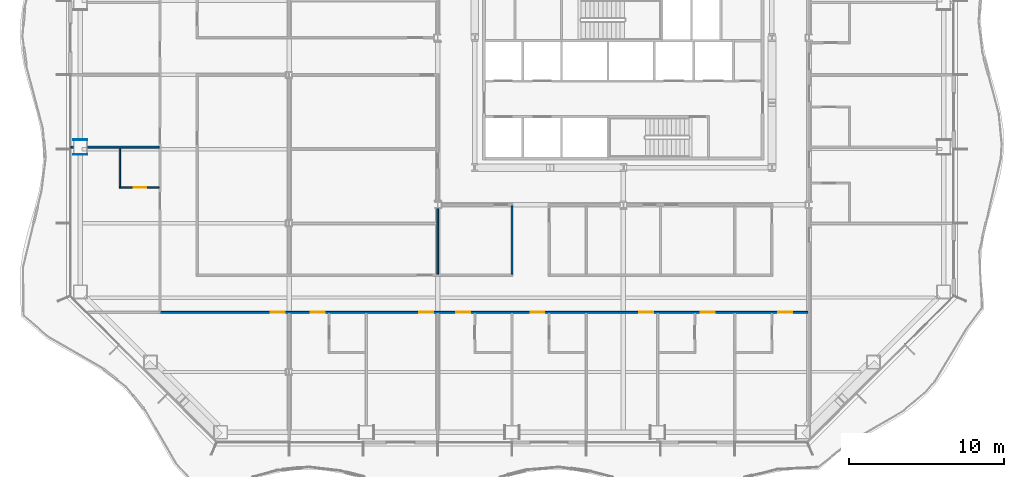
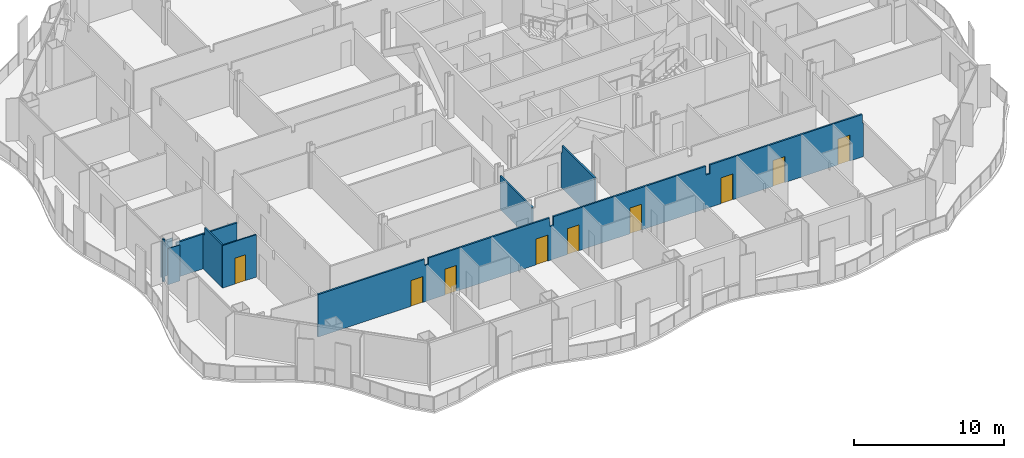
# One storey, part 7 of 20: 9 doors, 9 walls, 9 openings.
"""IFC4 building model written with IfcOpenShell, lengths in metres."""

from ifc_helpers import new_model, si_unit, direction, frame, frame_2d, origin, place, context, subcontext, project, spatial, polyline, rectangle, outline, extrude, material, layer, layer_set, type_object, element, fill, save


model = new_model("IFC4")

# Units and contexts
model_context = context("Model", 3, precision=1e-05, world=origin(), true_north=direction((0.0, 1.0)))
body_context = subcontext(model_context, "Body", "Model", "MODEL_VIEW")
ifc_project = project(units=[si_unit("LENGTHUNIT", "METRE"), si_unit("AREAUNIT", "SQUARE_METRE"), si_unit("VOLUMEUNIT", "CUBIC_METRE"), si_unit("PLANEANGLEUNIT", "RADIAN"), si_unit("MASSUNIT", "GRAM", prefix="KILO")], contexts=[model_context])

# Site, building, storey
site_placement = place(None, origin())
site = spatial("IfcSite", under=ifc_project, at=site_placement, CompositionType="ELEMENT")
building_placement = place(site_placement, origin())
building = spatial("IfcBuilding", under=site, at=building_placement, Name="Cairn Pilgrim Tower", CompositionType="ELEMENT")
storey_placement = place(building_placement, frame((0.0, 0.0, 83.39990234375)))
storey = spatial("IfcBuildingStorey", under=building, at=storey_placement, Name="L19", CompositionType="ELEMENT", Elevation=83.39990234375)

# Wall, opening, door
ifc_material_1 = material(Name="Gypsum partition")
ifc_layer_1 = layer(ifc_material_1, 0.10009765625)
ifc_layer_set_1 = layer_set([ifc_layer_1], Name="PARTITION 100 DRYWALL")
wall_type_1 = type_object("IfcWallType", Name="PARTITION 100 DRYWALL", PredefinedType="PARTITIONING", material=ifc_layer_set_1)
wall_1_placement = place(storey_placement, frame((-25.39990234375, -7.27587890625, 0.0), z_axis=(0.0, 0.0, 1.0), x_axis=(1.0, 0.0, 0.0)))
wall_1 = element("IfcWall", 1, at=wall_1_placement, inside=storey, type_object=wall_type_1, Name="PARTITION W046", PredefinedType="PARTITIONING", context=body_context, shape_type="SweptSolid", body=[
    extrude(rectangle(XDim=2.58740234375, YDim=0.10009765625, at=frame_2d((1.293701171875, 0.0))), origin(), (0.0, 0.0, 1.0), 3.4501953125),
])
opening_1_placement = place(wall_1_placement, frame((0.949951171875, 0.0, 0.0)))
opening_1 = element("IfcOpeningElement", 2, at=opening_1_placement, cuts=wall_1, Name="Opening 1909E", PredefinedType="OPENING", context=body_context, shape_type="SweptSolid", body=[
    extrude(rectangle(XDim=0.800048828125, YDim=2.10009765625, at=frame_2d((0.39990234375, 1.050048828125))), frame((0.0, 0.06005859375, 0.0), z_axis=(0.0, -1.0, 0.0), x_axis=(1.0, 0.0, 0.0)), (0.0, 0.0, 1.0), 0.1201171875),
])
ifc_material_2 = material(Name="Timber door leaf", Category="wood")
door_type_1 = type_object("IfcDoorType", Name="DOOR 800x2100", OperationType="NOTDEFINED", PredefinedType="DOOR", material=ifc_material_2)
door_1_placement = place(opening_1_placement, origin())
door_1 = element("IfcDoor", 3, at=door_1_placement, inside=storey, type_object=door_type_1, Name="DOOR 1909E", OperationType="SINGLE_SWING_RIGHT", OverallHeight=2.10009765625, OverallWidth=0.800048828125, PredefinedType="DOOR", context=body_context, shape_type="SweptSolid", body=[
    extrude(rectangle(XDim=0.800048828125, YDim=2.10009765625, at=frame_2d((0.39990234375, 1.050048828125))), frame((0.0, 0.02490234375, 0.0), z_axis=(0.0, -1.0, 0.0), x_axis=(1.0, 0.0, 0.0)), (0.0, 0.0, 1.0), 0.050048828125),
])
fill(opening_1, door_1)

# Wall
wall_2_placement = place(storey_placement, frame((-25.35009765625, -7.22607421875, 0.0), z_axis=(0.0, 0.0, 1.0), x_axis=(0.0, 1.0, 0.0)))
element("IfcWall", 4, at=wall_2_placement, inside=storey, type_object=wall_type_1, Name="PARTITION W047", PredefinedType="PARTITIONING", context=body_context, shape_type="SweptSolid", body=[
    extrude(outline(polyline([(0.0, 0.0), (2.487548828125, 0.0), (2.487548828125, 2.830078125), (2.31591796875, 2.830078125), (2.31396484375, 3.4501953125), (0.0, 3.4501953125), (0.0, 0.0)])), frame((0.0, 0.050048828125, 0.0), z_axis=(0.0, -1.0, 0.0), x_axis=(1.0, 0.0, 0.0)), (0.0, 0.0, 1.0), 0.10009765625),
])

# Wall, openings, doors
ifc_layer_2 = layer(ifc_material_1, 0.125)
ifc_layer_set_2 = layer_set([ifc_layer_2], Name="PARTITION 125 DRYWALL EI 60")
wall_type_2 = type_object("IfcWallType", Name="PARTITION 125 DRYWALL EI 60", PredefinedType="PARTITIONING", material=ifc_layer_set_2)
wall_3_placement = place(storey_placement, frame((-22.75, -15.35009765625, 0.0), z_axis=(0.0, 0.0, 1.0), x_axis=(1.0, 0.0, 0.0)))
wall_3 = element("IfcWall", 5, at=wall_3_placement, inside=storey, type_object=wall_type_2, Name="PARTITION W023", PredefinedType="PARTITIONING", context=body_context, shape_type="SweptSolid", body=[
    extrude(outline(polyline([(0.0, 0.0), (41.887451171875, 0.0), (41.887451171875, 2.72998046875), (41.800048828125, 2.72998046875), (41.798095703125, 3.4501953125), (30.10009765625, 3.4501953125), (30.097900390625, 2.72998046875), (29.800048828125, 2.72998046875), (29.798095703125, 3.4501953125), (18.10009765625, 3.4501953125), (18.097900390625, 2.72998046875), (17.800048828125, 2.72998046875), (17.798095703125, 3.4501953125), (8.5, 3.4501953125), (8.498046875, 2.93017578125), (8.199951171875, 2.93017578125), (8.197998046875, 3.4501953125), (0.0, 3.4501953125), (0.0, 0.0)])), frame((0.0, 0.0625, 0.0), z_axis=(0.0, -1.0, 0.0), x_axis=(1.0, 0.0, 0.0)), (0.0, 0.0, 1.0), 0.125),
])
opening_2_placement = place(wall_3_placement, frame((7.14990234375, 0.0, 0.0)))
opening_2 = element("IfcOpeningElement", 6, at=opening_2_placement, cuts=wall_3, Name="Opening 1901", PredefinedType="OPENING", context=body_context, shape_type="SweptSolid", body=[
    extrude(rectangle(XDim=0.89990234375, YDim=2.10009765625, at=frame_2d((0.449951171875, 1.050048828125))), frame((0.0, 0.072509765625, 0.0), z_axis=(0.0, -1.0, 0.0), x_axis=(1.0, 0.0, 0.0)), (0.0, 0.0, 1.0), 0.14501953125),
])
opening_3_placement = place(wall_3_placement, frame((9.736083984375, 0.0, 0.0)))
opening_3 = element("IfcOpeningElement", 7, at=opening_3_placement, cuts=wall_3, Name="Opening 1902", PredefinedType="OPENING", context=body_context, shape_type="SweptSolid", body=[
    extrude(rectangle(XDim=0.89990234375, YDim=2.10009765625, at=frame_2d((0.449951171875, 1.050048828125))), frame((0.0, 0.072509765625, 0.0), z_axis=(0.0, -1.0, 0.0), x_axis=(1.0, 0.0, 0.0)), (0.0, 0.0, 1.0), 0.14501953125),
])
opening_4_placement = place(wall_3_placement, frame((16.75, 0.0, 0.0)))
opening_4 = element("IfcOpeningElement", 8, at=opening_4_placement, cuts=wall_3, Name="Opening 1903", PredefinedType="OPENING", context=body_context, shape_type="SweptSolid", body=[
    extrude(rectangle(XDim=0.89990234375, YDim=2.10009765625, at=frame_2d((0.449951171875, 1.050048828125))), frame((0.0, 0.072509765625, 0.0), z_axis=(0.0, -1.0, 0.0), x_axis=(1.0, 0.0, 0.0)), (0.0, 0.0, 1.0), 0.14501953125),
])
opening_5_placement = place(wall_3_placement, frame((19.14990234375, 0.0, 0.0)))
opening_5 = element("IfcOpeningElement", 9, at=opening_5_placement, cuts=wall_3, Name="Opening 1904", PredefinedType="OPENING", context=body_context, shape_type="SweptSolid", body=[
    extrude(rectangle(XDim=0.89990234375, YDim=2.10009765625, at=frame_2d((0.449951171875, 1.050048828125))), frame((0.0, 0.072509765625, 0.0), z_axis=(0.0, -1.0, 0.0), x_axis=(1.0, 0.0, 0.0)), (0.0, 0.0, 1.0), 0.14501953125),
])
opening_6_placement = place(wall_3_placement, frame((23.949951171875, 0.0, 0.0)))
opening_6 = element("IfcOpeningElement", 10, at=opening_6_placement, cuts=wall_3, Name="Opening 1905", PredefinedType="OPENING", context=body_context, shape_type="SweptSolid", body=[
    extrude(rectangle(XDim=0.89990234375, YDim=2.10009765625, at=frame_2d((0.449951171875, 1.050048828125))), frame((0.0, 0.072509765625, 0.0), z_axis=(0.0, -1.0, 0.0), x_axis=(1.0, 0.0, 0.0)), (0.0, 0.0, 1.0), 0.14501953125),
])
opening_7_placement = place(wall_3_placement, frame((30.964111328125, 0.0, 0.0)))
opening_7 = element("IfcOpeningElement", 11, at=opening_7_placement, cuts=wall_3, Name="Opening 1906", PredefinedType="OPENING", context=body_context, shape_type="SweptSolid", body=[
    extrude(rectangle(XDim=0.89990234375, YDim=2.10009765625, at=frame_2d((0.449951171875, 1.050048828125))), frame((0.0, 0.072509765625, 0.0), z_axis=(0.0, -1.0, 0.0), x_axis=(1.0, 0.0, 0.0)), (0.0, 0.0, 1.0), 0.14501953125),
])
opening_8_placement = place(wall_3_placement, frame((34.949951171875, 0.0, 0.0)))
opening_8 = element("IfcOpeningElement", 12, at=opening_8_placement, cuts=wall_3, Name="Opening 1907", PredefinedType="OPENING", context=body_context, shape_type="SweptSolid", body=[
    extrude(rectangle(XDim=0.89990234375, YDim=2.10009765625, at=frame_2d((0.449951171875, 1.050048828125))), frame((0.0, 0.072509765625, 0.0), z_axis=(0.0, -1.0, 0.0), x_axis=(1.0, 0.0, 0.0)), (0.0, 0.0, 1.0), 0.14501953125),
])
opening_9_placement = place(wall_3_placement, frame((39.949951171875, 0.0, 0.0)))
opening_9 = element("IfcOpeningElement", 13, at=opening_9_placement, cuts=wall_3, Name="Opening 1908", PredefinedType="OPENING", context=body_context, shape_type="SweptSolid", body=[
    extrude(rectangle(XDim=0.89990234375, YDim=2.10009765625, at=frame_2d((0.449951171875, 1.050048828125))), frame((0.0, 0.072509765625, 0.0), z_axis=(0.0, -1.0, 0.0), x_axis=(1.0, 0.0, 0.0)), (0.0, 0.0, 1.0), 0.14501953125),
])
ifc_material_3 = material(Name="Steel-faced fire door leaf", Category="steel")
door_type_2 = type_object("IfcDoorType", Name="FIRE DOOR 900x2100 FD30S", OperationType="NOTDEFINED", PredefinedType="DOOR", material=ifc_material_3)
door_2_placement = place(opening_2_placement, frame((0.89990234375, 0.0, 0.0), z_axis=(0.0, 0.0, 1.0), x_axis=(-1.0, 0.0, 0.0)))
door_2 = element("IfcDoor", 14, at=door_2_placement, inside=storey, type_object=door_type_2, Name="DOOR 1901", OperationType="SINGLE_SWING_RIGHT", OverallHeight=2.10009765625, OverallWidth=0.89990234375, PredefinedType="DOOR", context=body_context, shape_type="SweptSolid", body=[
    extrude(rectangle(XDim=0.89990234375, YDim=2.10009765625, at=frame_2d((0.449951171875, 1.050048828125))), frame((0.0, 0.02490234375, 0.0), z_axis=(0.0, -1.0, 0.0), x_axis=(1.0, 0.0, 0.0)), (0.0, 0.0, 1.0), 0.050048828125),
])
fill(opening_2, door_2)
door_3_placement = place(opening_3_placement, frame((0.89990234375, 0.0, 0.0), z_axis=(0.0, 0.0, 1.0), x_axis=(-1.0, 0.0, 0.0)))
door_3 = element("IfcDoor", 15, at=door_3_placement, inside=storey, type_object=door_type_2, Name="DOOR 1902", OperationType="SINGLE_SWING_LEFT", OverallHeight=2.10009765625, OverallWidth=0.89990234375, PredefinedType="DOOR", context=body_context, shape_type="SweptSolid", body=[
    extrude(rectangle(XDim=0.89990234375, YDim=2.10009765625, at=frame_2d((0.449951171875, 1.050048828125))), frame((0.0, 0.02490234375, 0.0), z_axis=(0.0, -1.0, 0.0), x_axis=(1.0, 0.0, 0.0)), (0.0, 0.0, 1.0), 0.050048828125),
])
fill(opening_3, door_3)
door_4_placement = place(opening_4_placement, frame((0.89990234375, 0.0, 0.0), z_axis=(0.0, 0.0, 1.0), x_axis=(-1.0, 0.0, 0.0)))
door_4 = element("IfcDoor", 16, at=door_4_placement, inside=storey, type_object=door_type_2, Name="DOOR 1903", OperationType="SINGLE_SWING_LEFT", OverallHeight=2.10009765625, OverallWidth=0.89990234375, PredefinedType="DOOR", context=body_context, shape_type="SweptSolid", body=[
    extrude(rectangle(XDim=0.89990234375, YDim=2.10009765625, at=frame_2d((0.449951171875, 1.050048828125))), frame((0.0, 0.02490234375, 0.0), z_axis=(0.0, -1.0, 0.0), x_axis=(1.0, 0.0, 0.0)), (0.0, 0.0, 1.0), 0.050048828125),
])
fill(opening_4, door_4)
door_5_placement = place(opening_5_placement, frame((0.89990234375, 0.0, 0.0), z_axis=(0.0, 0.0, 1.0), x_axis=(-1.0, 0.0, 0.0)))
door_5 = element("IfcDoor", 17, at=door_5_placement, inside=storey, type_object=door_type_2, Name="DOOR 1904", OperationType="SINGLE_SWING_RIGHT", OverallHeight=2.10009765625, OverallWidth=0.89990234375, PredefinedType="DOOR", context=body_context, shape_type="SweptSolid", body=[
    extrude(rectangle(XDim=0.89990234375, YDim=2.10009765625, at=frame_2d((0.449951171875, 1.050048828125))), frame((0.0, 0.02490234375, 0.0), z_axis=(0.0, -1.0, 0.0), x_axis=(1.0, 0.0, 0.0)), (0.0, 0.0, 1.0), 0.050048828125),
])
fill(opening_5, door_5)
door_6_placement = place(opening_6_placement, frame((0.89990234375, 0.0, 0.0), z_axis=(0.0, 0.0, 1.0), x_axis=(-1.0, 0.0, 0.0)))
door_6 = element("IfcDoor", 18, at=door_6_placement, inside=storey, type_object=door_type_2, Name="DOOR 1905", OperationType="SINGLE_SWING_RIGHT", OverallHeight=2.10009765625, OverallWidth=0.89990234375, PredefinedType="DOOR", context=body_context, shape_type="SweptSolid", body=[
    extrude(rectangle(XDim=0.89990234375, YDim=2.10009765625, at=frame_2d((0.449951171875, 1.050048828125))), frame((0.0, 0.02490234375, 0.0), z_axis=(0.0, -1.0, 0.0), x_axis=(1.0, 0.0, 0.0)), (0.0, 0.0, 1.0), 0.050048828125),
])
fill(opening_6, door_6)
door_7_placement = place(opening_7_placement, frame((0.89990234375, 0.0, 0.0), z_axis=(0.0, 0.0, 1.0), x_axis=(-1.0, 0.0, 0.0)))
door_7 = element("IfcDoor", 19, at=door_7_placement, inside=storey, type_object=door_type_2, Name="DOOR 1906", OperationType="SINGLE_SWING_RIGHT", OverallHeight=2.10009765625, OverallWidth=0.89990234375, PredefinedType="DOOR", context=body_context, shape_type="SweptSolid", body=[
    extrude(rectangle(XDim=0.89990234375, YDim=2.10009765625, at=frame_2d((0.449951171875, 1.050048828125))), frame((0.0, 0.02490234375, 0.0), z_axis=(0.0, -1.0, 0.0), x_axis=(1.0, 0.0, 0.0)), (0.0, 0.0, 1.0), 0.050048828125),
])
fill(opening_7, door_7)
door_8_placement = place(opening_8_placement, frame((0.89990234375, 0.0, 0.0), z_axis=(0.0, 0.0, 1.0), x_axis=(-1.0, 0.0, 0.0)))
door_8 = element("IfcDoor", 20, at=door_8_placement, inside=storey, type_object=door_type_2, Name="DOOR 1907", OperationType="SINGLE_SWING_LEFT", OverallHeight=2.10009765625, OverallWidth=0.89990234375, PredefinedType="DOOR", context=body_context, shape_type="SweptSolid", body=[
    extrude(rectangle(XDim=0.89990234375, YDim=2.10009765625, at=frame_2d((0.449951171875, 1.050048828125))), frame((0.0, 0.02490234375, 0.0), z_axis=(0.0, -1.0, 0.0), x_axis=(1.0, 0.0, 0.0)), (0.0, 0.0, 1.0), 0.050048828125),
])
fill(opening_8, door_8)
door_9_placement = place(opening_9_placement, frame((0.89990234375, 0.0, 0.0), z_axis=(0.0, 0.0, 1.0), x_axis=(-1.0, 0.0, 0.0)))
door_9 = element("IfcDoor", 21, at=door_9_placement, inside=storey, type_object=door_type_2, Name="DOOR 1908", OperationType="SINGLE_SWING_LEFT", OverallHeight=2.10009765625, OverallWidth=0.89990234375, PredefinedType="DOOR", context=body_context, shape_type="SweptSolid", body=[
    extrude(rectangle(XDim=0.89990234375, YDim=2.10009765625, at=frame_2d((0.449951171875, 1.050048828125))), frame((0.0, 0.02490234375, 0.0), z_axis=(0.0, -1.0, 0.0), x_axis=(1.0, 0.0, 0.0)), (0.0, 0.0, 1.0), 0.050048828125),
])
fill(opening_9, door_9)

# Walls
wall_4_placement = place(storey_placement, frame((-4.800048828125, -12.887451171875, 0.0), z_axis=(0.0, 0.0, 1.0), x_axis=(0.0, 1.0, 0.0)))
element("IfcWall", 22, at=wall_4_placement, inside=storey, type_object=wall_type_2, Name="PARTITION W030", PredefinedType="PARTITIONING", context=body_context, shape_type="SweptSolid", body=[
    extrude(rectangle(XDim=4.25048828125, YDim=0.125, at=frame_2d((2.125244140625, 0.0))), origin(), (0.0, 0.0, 1.0), 2.72998046875),
])
wall_5_placement = place(storey_placement, frame((0.0, -12.887451171875, 0.0), z_axis=(0.0, 0.0, 1.0), x_axis=(0.0, 1.0, 0.0)))
element("IfcWall", 23, at=wall_5_placement, inside=storey, type_object=wall_type_2, Name="PARTITION W031", PredefinedType="PARTITIONING", context=body_context, shape_type="SweptSolid", body=[
    extrude(outline(polyline([(0.0, 0.0), (4.425048828125, 0.0), (4.425048828125, 2.830078125), (4.33740234375, 2.830078125), (4.33544921875, 3.4501953125), (0.0, 3.4501953125), (0.0, 0.0)])), frame((0.0, 0.0625, 0.0), z_axis=(0.0, -1.0, 0.0), x_axis=(1.0, 0.0, 0.0)), (0.0, 0.0, 1.0), 0.125),
])
wall_6_placement = place(storey_placement, frame((-28.5029296875, -4.676025390625, 0.0), z_axis=(0.0, 0.0, 1.0), x_axis=(1.0, 0.0, 0.0)))
element("IfcWall", 24, at=wall_6_placement, inside=storey, type_object=wall_type_2, Name="PARTITION W050", PredefinedType="PARTITIONING", context=body_context, shape_type="SweptSolid", body=[
    extrude(rectangle(XDim=0.15283203125, YDim=0.125, at=frame_2d((0.076416015625, 0.0))), origin(), (0.0, 0.0, 1.0), 3.4501953125),
])
wall_7_placement = place(storey_placement, frame((-27.449951171875, -4.676025390625, 0.0), z_axis=(0.0, 0.0, 1.0), x_axis=(1.0, 0.0, 0.0)))
element("IfcWall", 25, at=wall_7_placement, inside=storey, type_object=wall_type_2, Name="PARTITION W051", PredefinedType="PARTITIONING", context=body_context, shape_type="SweptSolid", body=[
    extrude(rectangle(XDim=4.637451171875, YDim=0.125, at=frame_2d((2.31884765625, 0.0))), origin(), (0.0, 0.0, 1.0), 2.830078125),
])
ifc_layer_3 = layer(ifc_material_1, 0.050048828125)
ifc_layer_set_3 = layer_set([ifc_layer_3], Name="PARTITION 50 DRYWALL EI 60")
wall_type_3 = type_object("IfcWallType", Name="PARTITION 50 DRYWALL EI 60", PredefinedType="PARTITIONING", material=ifc_layer_set_3)
for number, where, z_axis, x_axis, name in (
    (26, (-28.35009765625, -4.20068359375, 0.0), (0.0, 0.0, 1.0), (1.0, 0.0, 0.0), "COLUMN CASING WC18"),
    (27, (-28.35009765625, -5.150634765625, 0.0), (0.0, 0.0, 1.0), (1.0, 0.0, 0.0), "COLUMN CASING WC19"),
):
    element("IfcWall", number, at=place(storey_placement, frame(where, z_axis=z_axis, x_axis=x_axis)), inside=storey, type_object=wall_type_3, Name=name, PredefinedType="PARTITIONING", context=body_context, shape_type="SweptSolid", body=[
        extrude(rectangle(XDim=0.900146484375, YDim=0.050048828125, at=frame_2d((0.4501953125, 0.0))), origin(), (0.0, 0.0, 1.0), 2.93017578125),
    ])

save(model, "model.ifc")
